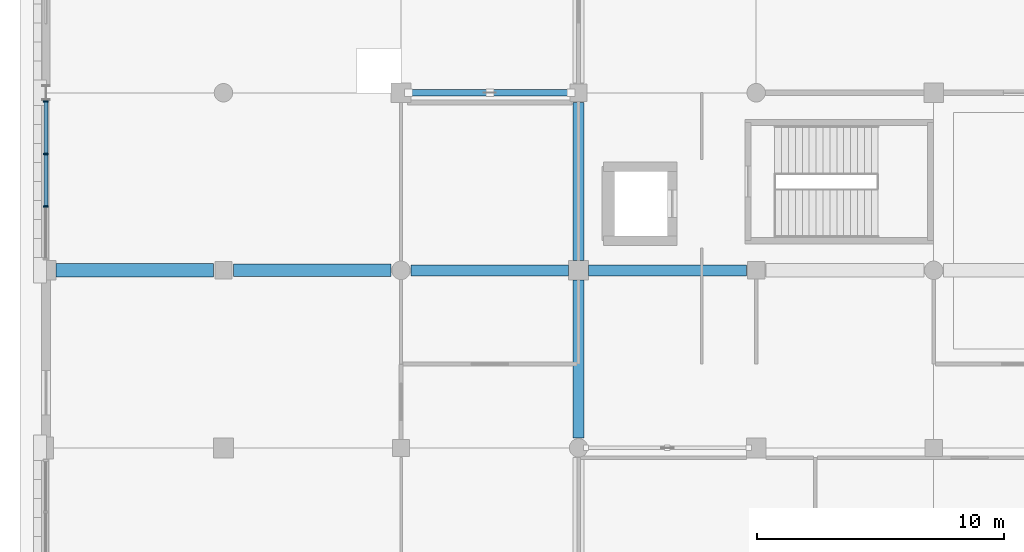
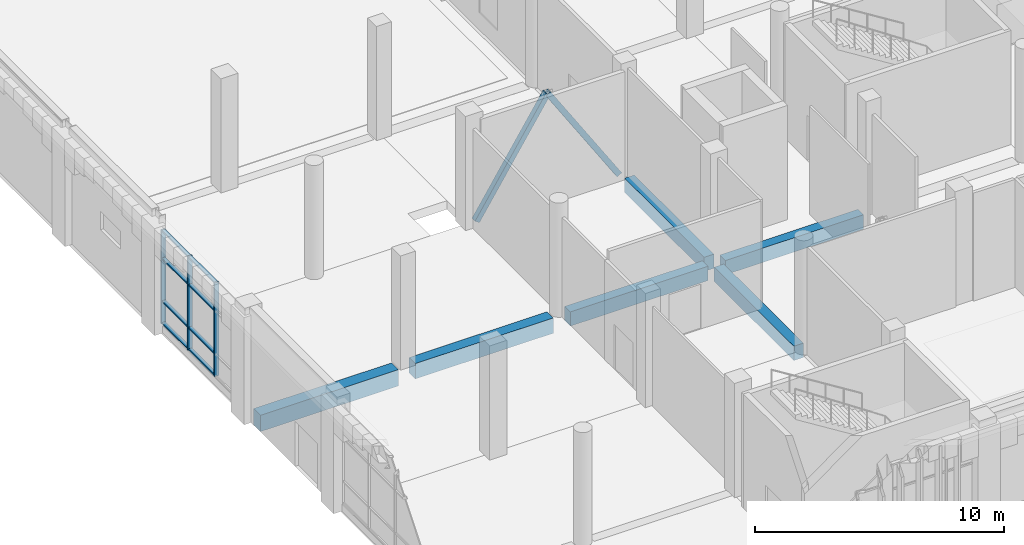
# One storey, part 9 of 85: 13 members, 6 beams, 1 element without a shape of its own.
"""IFC4 building model written with IfcOpenShell, lengths in metres."""

from ifc_helpers import new_model, si_unit, direction, frame, origin, origin_2d, place, context, subcontext, project, spatial, rectangle, hollow_rectangle, extrude, material, material_profile, profile_set, type_object, element, aggregate, save


model = new_model("IFC4")

# Units and contexts
model_context = context("Model", 3, precision=1e-05, world=origin(), true_north=direction((0.0, 1.0)))
body_context = subcontext(model_context, "Body", "Model", "MODEL_VIEW")
ifc_project = project(units=[si_unit("LENGTHUNIT", "METRE"), si_unit("AREAUNIT", "SQUARE_METRE"), si_unit("VOLUMEUNIT", "CUBIC_METRE"), si_unit("PLANEANGLEUNIT", "RADIAN"), si_unit("MASSUNIT", "GRAM", prefix="KILO")], contexts=[model_context])

# Site, building, storey
site_placement = place(None, origin())
site = spatial("IfcSite", under=ifc_project, at=site_placement, CompositionType="ELEMENT")
building_placement = place(site_placement, origin())
building = spatial("IfcBuilding", under=site, at=building_placement, Name="Sardonyx Promenade Sports Hall", CompositionType="ELEMENT")
storey_placement = place(building_placement, origin())
storey = spatial("IfcBuildingStorey", under=building, at=storey_placement, Name="L00", CompositionType="ELEMENT", Elevation=0.0)

# Beams
ifc_material_1 = material(Name="Concrete C40/50", Category="concrete")
ifc_material_profile_1 = material_profile(ifc_material_1, rectangle(XDim=0.5, YDim=0.75, at=origin_2d()))
ifc_profile_set_1 = profile_set([ifc_material_profile_1], Name="Concrete C40/50")
beam_type_1 = type_object("IfcBeamType", Name="Bm_Girder_RC750", PredefinedType="BEAM", material=ifc_profile_set_1)
beam_1_placement = place(storey_placement, frame((7.60009765625, 21.60009765625, -0.375), z_axis=(1.0, 0.0, 0.0), x_axis=(0.0, 1.0, 0.0)))
element("IfcBeam", 1, at=beam_1_placement, inside=storey, type_object=beam_type_1, Name="Beam BG02 L00 #78", PredefinedType="BEAM", context=body_context, shape_type="SweptSolid", body=[
    extrude(rectangle(XDim=0.5, YDim=0.75, at=origin_2d()), origin(), (0.0, 0.0, 1.0), 6.39990234375),
])
ifc_material_2 = material(Name="Concrete C40/50", Category="concrete")
ifc_material_profile_2 = material_profile(ifc_material_2, rectangle(XDim=0.550048828125, YDim=0.800048828125, at=origin_2d()))
ifc_profile_set_2 = profile_set([ifc_material_profile_2], Name="Concrete C40/50")
beam_type_2 = type_object("IfcBeamType", Name="Bm_Girder_RC800", PredefinedType="BEAM", material=ifc_profile_set_2)
beam_2_placement = place(storey_placement, frame((0.39990234375, 21.60009765625, -0.39990234375), z_axis=(1.0, 0.0, 0.0), x_axis=(0.0, 1.0, 0.0)))
element("IfcBeam", 2, at=beam_2_placement, inside=storey, type_object=beam_type_2, Name="Beam BG04 L00 #77", PredefinedType="BEAM", context=body_context, shape_type="SweptSolid", body=[
    extrude(rectangle(XDim=0.550048828125, YDim=0.800048828125, at=origin_2d()), origin(), (0.0, 0.0, 1.0), 6.400146484375),
])
ifc_material_3 = material(Name="Concrete C40/50", Category="concrete")
ifc_material_profile_3 = material_profile(ifc_material_3, rectangle(XDim=0.449951171875, YDim=0.699951171875, at=origin_2d()))
ifc_profile_set_3 = profile_set([ifc_material_profile_3], Name="Concrete C40/50")
beam_type_3 = type_object("IfcBeamType", Name="Bm_Primary_RC700", PredefinedType="BEAM", material=ifc_profile_set_3)
for number, where, z_axis, x_axis, name in (
    (3, (14.800048828125, 21.60009765625, -0.35009765625), (1.0, 0.0, 0.0), (0.0, 1.0, 0.0), "Beam BG01 L00 #79"),
    (4, (22.0, 21.60009765625, -0.35009765625), (1.0, 0.0, 0.0), (0.0, 1.0, 0.0), "Beam BG01 L00 #80"),
    (5, (21.60009765625, 14.800048828125, -0.35009765625), (0.0, 1.0, 0.0), (-1.0, 0.0, 0.0), "Beam BG01 L00 #125"),
    (6, (21.60009765625, 22.0, -0.35009765625), (0.0, 1.0, 0.0), (-1.0, 0.0, 0.0), "Beam BG01 L00 #126"),
):
    element("IfcBeam", number, at=place(storey_placement, frame(where, z_axis=z_axis, x_axis=x_axis)), inside=storey, type_object=beam_type_3, Name=name, PredefinedType="BEAM", context=body_context, shape_type="SweptSolid", body=[
        extrude(rectangle(XDim=0.449951171875, YDim=0.699951171875, at=origin_2d()), origin(), (0.0, 0.0, 1.0), 6.39990234375),
    ])

# Curtain wall, members
ifc_material_4 = material(Name="Aluminium 6063-T6", Category="aluminium")
curtain_wall_type = type_object("IfcCurtainWallType", Name="CW_Climb_North_L00", PredefinedType="USERDEFINED", material=ifc_material_4)
curtain_wall_placement = place(storey_placement, origin())
curtain_wall = element("IfcCurtainWall", 7, at=curtain_wall_placement, inside=storey, type_object=curtain_wall_type, Name="Curtain wall CW05 cw:L00:062", ObjectType="CURTAIN WALL", PredefinedType="USERDEFINED")
ifc_material_5 = material(Name="Aluminium 6063-T6", Category="aluminium")
ifc_material_profile_4 = material_profile(ifc_material_5, rectangle(XDim=0.070068359375, YDim=0.199951171875, at=origin_2d()))
ifc_profile_set_4 = profile_set([ifc_material_profile_4], Name="Aluminium 6063-T6")
member_type_1 = type_object("IfcMemberType", Name="CW_Mull_200", PredefinedType="MULLION", material=ifc_profile_set_4)
member_1_placement = place(storey_placement, frame((0.0, 24.186767578125, 0.35009765625), z_axis=(0.0, 0.0, 1.0), x_axis=(0.0, 1.0, 0.0)))
member_1 = element("IfcMember", 8, at=member_1_placement, type_object=member_type_1, Name="Mullion CM03 cw:L00:062 #2", PredefinedType="MULLION", context=body_context, shape_type="SweptSolid", body=[
    extrude(rectangle(XDim=0.070068359375, YDim=0.199951171875, at=origin_2d()), origin(), (0.0, 0.0, 1.0), 4.599853515625),
])
member_2_placement = place(storey_placement, frame((0.0, 26.318359375, 0.35009765625), z_axis=(0.0, 0.0, 1.0), x_axis=(0.0, 1.0, 0.0)))
member_2 = element("IfcMember", 9, at=member_2_placement, type_object=member_type_1, Name="Mullion CM03 cw:L00:062 #3", PredefinedType="MULLION", context=body_context, shape_type="SweptSolid", body=[
    extrude(rectangle(XDim=0.070068359375, YDim=0.199951171875, at=origin_2d()), origin(), (0.0, 0.0, 1.0), 4.599853515625),
])
member_3_placement = place(storey_placement, frame((0.0, 28.449951171875, 0.35009765625), z_axis=(0.0, 0.0, 1.0), x_axis=(0.0, 1.0, 0.0)))
member_3 = element("IfcMember", 10, at=member_3_placement, type_object=member_type_1, Name="Mullion CM03 cw:L00:062 #4", PredefinedType="MULLION", context=body_context, shape_type="SweptSolid", body=[
    extrude(rectangle(XDim=0.070068359375, YDim=0.199951171875, at=origin_2d()), origin(), (0.0, 0.0, 1.0), 4.599853515625),
])
ifc_material_6 = material(Name="Aluminium 6063-T6", Category="aluminium")
ifc_material_profile_5 = material_profile(ifc_material_6, rectangle(XDim=0.070068359375, YDim=0.159912109375, at=origin_2d()))
ifc_profile_set_5 = profile_set([ifc_material_profile_5], Name="Aluminium 6063-T6")
member_type_2 = type_object("IfcMemberType", Name="CW_Tran_160", PredefinedType="USERDEFINED", material=ifc_profile_set_5)
member_4_placement = place(storey_placement, frame((0.0, 24.2216796875, 0.385009765625), z_axis=(0.0, 1.0, 0.0), x_axis=(0.0, 0.0, 1.0)))
member_4 = element("IfcMember", 11, at=member_4_placement, type_object=member_type_2, Name="Transom CT03 cw:L00:062 #5", ObjectType="TRANSOM", PredefinedType="USERDEFINED", context=body_context, shape_type="SweptSolid", body=[
    extrude(rectangle(XDim=0.070068359375, YDim=0.159912109375, at=origin_2d()), origin(), (0.0, 0.0, 1.0), 2.061767578125),
])
member_5_placement = place(storey_placement, frame((0.0, 24.2216796875, 1.449951171875), z_axis=(0.0, 1.0, 0.0), x_axis=(0.0, 0.0, 1.0)))
member_5 = element("IfcMember", 12, at=member_5_placement, type_object=member_type_2, Name="Transom CT03 cw:L00:062 #6", ObjectType="TRANSOM", PredefinedType="USERDEFINED", context=body_context, shape_type="SweptSolid", body=[
    extrude(rectangle(XDim=0.070068359375, YDim=0.159912109375, at=origin_2d()), origin(), (0.0, 0.0, 1.0), 2.061767578125),
])
member_6_placement = place(storey_placement, frame((0.0, 24.2216796875, 3.550048828125), z_axis=(0.0, 1.0, 0.0), x_axis=(0.0, 0.0, 1.0)))
member_6 = element("IfcMember", 13, at=member_6_placement, type_object=member_type_2, Name="Transom CT03 cw:L00:062 #7", ObjectType="TRANSOM", PredefinedType="USERDEFINED", context=body_context, shape_type="SweptSolid", body=[
    extrude(rectangle(XDim=0.070068359375, YDim=0.159912109375, at=origin_2d()), origin(), (0.0, 0.0, 1.0), 2.061767578125),
])
member_7_placement = place(storey_placement, frame((0.0, 24.2216796875, 4.9150390625), z_axis=(0.0, 1.0, 0.0), x_axis=(0.0, 0.0, 1.0)))
member_7 = element("IfcMember", 14, at=member_7_placement, type_object=member_type_2, Name="Transom CT03 cw:L00:062 #8", ObjectType="TRANSOM", PredefinedType="USERDEFINED", context=body_context, shape_type="SweptSolid", body=[
    extrude(rectangle(XDim=0.070068359375, YDim=0.159912109375, at=origin_2d()), origin(), (0.0, 0.0, 1.0), 2.061767578125),
])
member_8_placement = place(storey_placement, frame((0.0, 26.353271484375, 0.385009765625), z_axis=(0.0, 1.0, 0.0), x_axis=(0.0, 0.0, 1.0)))
member_8 = element("IfcMember", 15, at=member_8_placement, type_object=member_type_2, Name="Transom CT03 cw:L00:062 #9", ObjectType="TRANSOM", PredefinedType="USERDEFINED", context=body_context, shape_type="SweptSolid", body=[
    extrude(rectangle(XDim=0.070068359375, YDim=0.159912109375, at=origin_2d()), origin(), (0.0, 0.0, 1.0), 2.061767578125),
])
member_9_placement = place(storey_placement, frame((0.0, 26.353271484375, 1.449951171875), z_axis=(0.0, 1.0, 0.0), x_axis=(0.0, 0.0, 1.0)))
member_9 = element("IfcMember", 16, at=member_9_placement, type_object=member_type_2, Name="Transom CT03 cw:L00:062 #10", ObjectType="TRANSOM", PredefinedType="USERDEFINED", context=body_context, shape_type="SweptSolid", body=[
    extrude(rectangle(XDim=0.070068359375, YDim=0.159912109375, at=origin_2d()), origin(), (0.0, 0.0, 1.0), 2.061767578125),
])
member_10_placement = place(storey_placement, frame((0.0, 26.353271484375, 3.550048828125), z_axis=(0.0, 1.0, 0.0), x_axis=(0.0, 0.0, 1.0)))
member_10 = element("IfcMember", 17, at=member_10_placement, type_object=member_type_2, Name="Transom CT03 cw:L00:062 #11", ObjectType="TRANSOM", PredefinedType="USERDEFINED", context=body_context, shape_type="SweptSolid", body=[
    extrude(rectangle(XDim=0.070068359375, YDim=0.159912109375, at=origin_2d()), origin(), (0.0, 0.0, 1.0), 2.061767578125),
])
member_11_placement = place(storey_placement, frame((0.0, 26.353271484375, 4.9150390625), z_axis=(0.0, 1.0, 0.0), x_axis=(0.0, 0.0, 1.0)))
member_11 = element("IfcMember", 18, at=member_11_placement, type_object=member_type_2, Name="Transom CT03 cw:L00:062 #12", ObjectType="TRANSOM", PredefinedType="USERDEFINED", context=body_context, shape_type="SweptSolid", body=[
    extrude(rectangle(XDim=0.070068359375, YDim=0.159912109375, at=origin_2d()), origin(), (0.0, 0.0, 1.0), 2.061767578125),
])
aggregate(curtain_wall, [member_1, member_2, member_3, member_4, member_5, member_6, member_7, member_8, member_9, member_10, member_11])

# Members
ifc_material_7 = material(Name="Steel S355JR", Category="steel")
ifc_material_profile_6 = material_profile(ifc_material_7, hollow_rectangle(XDim=0.25, YDim=0.25, WallThickness=0.012451171875, at=origin_2d()))
ifc_profile_set_6 = profile_set([ifc_material_profile_6], Name="Steel S355JR")
member_type_3 = type_object("IfcMemberType", Name="Mbr_Brace_SHS250_Int", PredefinedType="BRACE", material=ifc_profile_set_6)
for number, where, z_axis, x_axis, name in (
    (19, (14.699951171875, 28.800048828125, 0.02001953125), (0.541020546305, 0.0, 0.841009374785), (0.0, 1.0, 0.0), "Chevron brace BR05 BF5 L00 leg 1"),
    (20, (21.300048828125, 28.800048828125, 0.02001953125), (-0.541020546305, 0.0, 0.841009374785), (0.0, -1.0, 0.0), "Chevron brace BR05 BF5 L00 leg 2"),
):
    element("IfcMember", number, at=place(storey_placement, frame(where, z_axis=z_axis, x_axis=x_axis)), inside=storey, type_object=member_type_3, Name=name, PredefinedType="BRACE", context=body_context, shape_type="SweptSolid", body=[
        extrude(hollow_rectangle(XDim=0.25, YDim=0.25, WallThickness=0.012451171875, at=origin_2d()), origin(), (0.0, 0.0, 1.0), 6.099609375),
    ])

save(model, "model.ifc")
